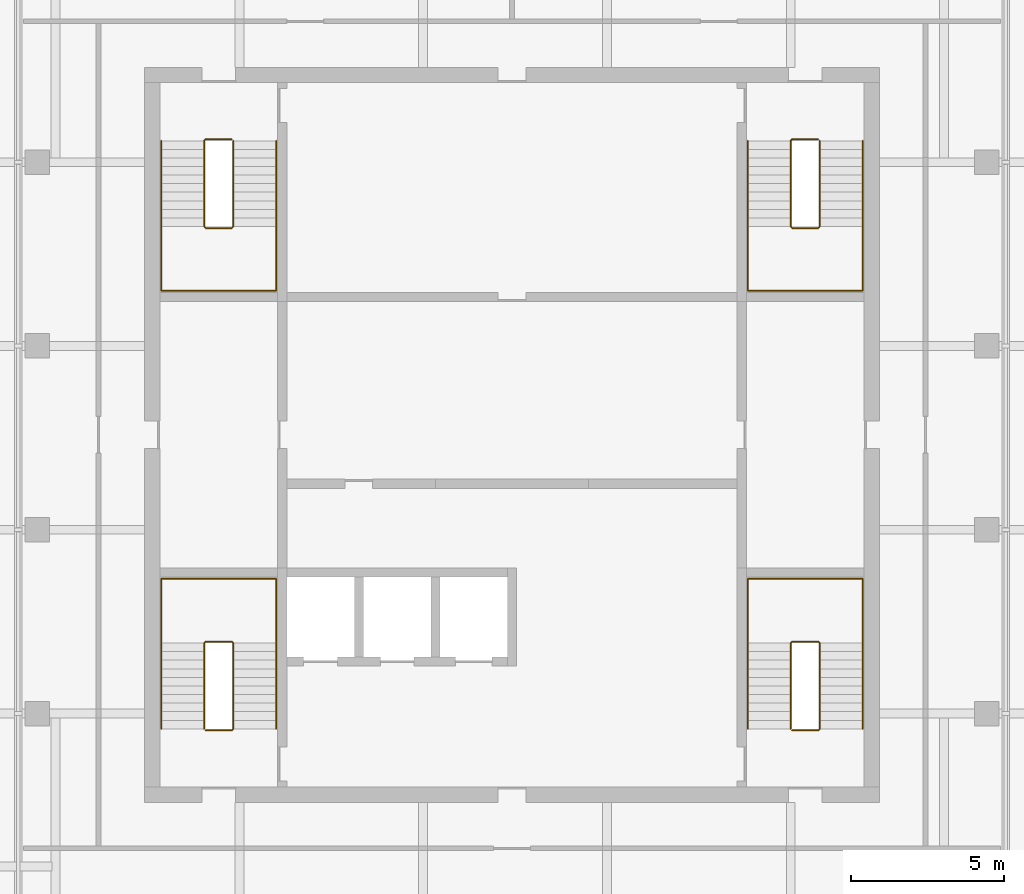
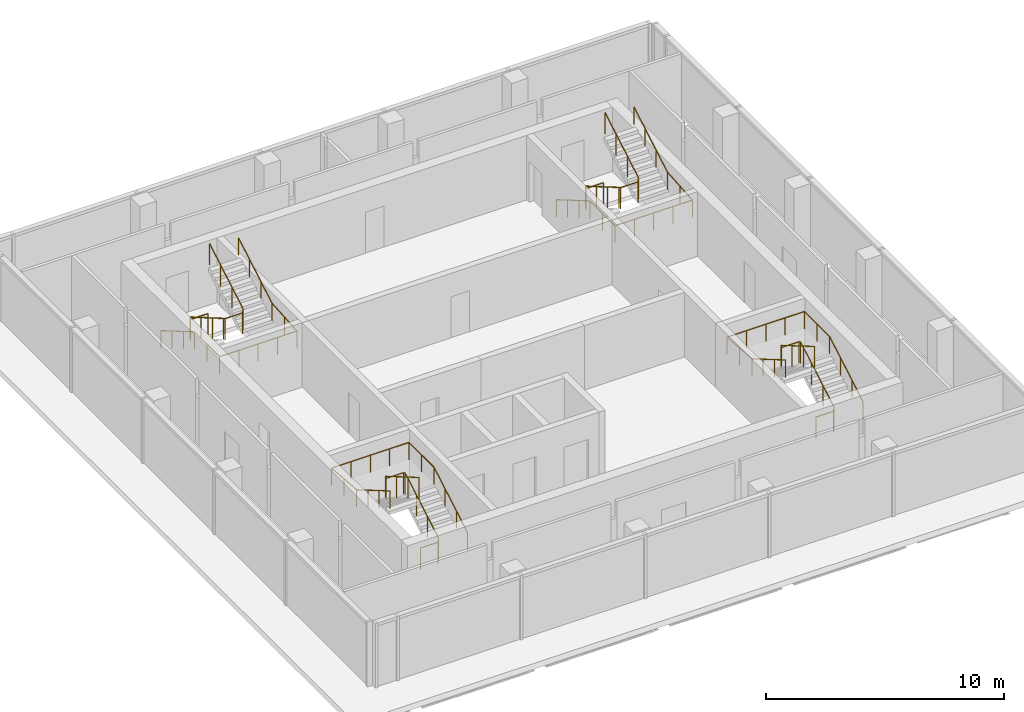
# One storey, part 5 of 5: 8 railings.
"""IFC4 building model written with IfcOpenShell, lengths in metres."""

from ifc_helpers import new_model, si_unit, direction, frame, origin, origin_2d, place, context, subcontext, project, spatial, circle, extrude, material, type_object, element, save


model = new_model("IFC4")

# Units and contexts
model_context = context("Model", 3, precision=1e-05, world=origin(), true_north=direction((0.0, 1.0)))
body_context = subcontext(model_context, "Body", "Model", "MODEL_VIEW")
ifc_project = project(units=[si_unit("LENGTHUNIT", "METRE"), si_unit("AREAUNIT", "SQUARE_METRE"), si_unit("VOLUMEUNIT", "CUBIC_METRE"), si_unit("PLANEANGLEUNIT", "RADIAN"), si_unit("MASSUNIT", "GRAM", prefix="KILO")], contexts=[model_context])

# Site, building, storey
site_placement = place(None, origin())
site = spatial("IfcSite", under=ifc_project, at=site_placement, CompositionType="ELEMENT")
building_placement = place(site_placement, origin())
building = spatial("IfcBuilding", under=site, at=building_placement, Name="Amberfall Residences", CompositionType="ELEMENT")
storey_placement = place(building_placement, frame((0.0, 0.0, 294.39990234375)))
storey = spatial("IfcBuildingStorey", under=building, at=storey_placement, Name="L79 Crown", CompositionType="ELEMENT", Elevation=294.39990234375)

# Railings
ifc_material = material(Name="Stainless steel 316", Category="steel")
railing_type_1 = type_object("IfcRailingType", Name="Stair guard 1100", PredefinedType="GUARDRAIL", material=ifc_material)
railing_1_placement = place(storey_placement, frame((64.5, 35.85009765625, 0.0)))
element("IfcRailing", 1, at=railing_1_placement, inside=storey, type_object=railing_type_1, Name="L79 Crown stair 1 guard", PredefinedType="GUARDRAIL", context=body_context, shape_type="SweptSolid", body=[
    extrude(circle(Radius=0.02392578125, at=origin_2d()), frame((0.0, 0.0, 1.076171875), z_axis=(1.0, 0.0, 0.0), x_axis=(0.0, 1.0, 0.0)), (0.0, 0.0, 1.0), 0.85009765625),
    extrude(circle(Radius=0.02392578125, at=origin_2d()), frame((0.85009765625, 0.0, 1.076171875), z_axis=(0.279301935624, 0.279301935624, 0.918684307863), x_axis=(-0.707106781187, 0.707106781187, 0.0)), (0.0, 0.0, 1.0), 0.17822265625),
    extrude(circle(Radius=0.02392578125, at=origin_2d()), frame((0.89990234375, 0.0498046875, 1.23974609375), z_axis=(0.0, 0.863393664356, 0.504530851732), x_axis=(-1.0, 0.0, 0.0)), (0.0, 0.0, 1.0), 3.2431640625),
    extrude(circle(Radius=0.02392578125, at=origin_2d()), frame((0.89990234375, 2.849853515625, 2.8759765625), z_axis=(-0.705375805398, 0.708833529934, 0.0), x_axis=(-0.708833529934, -0.705375805398, 0.0)), (0.0, 0.0, 1.0), 0.070556640625),
    extrude(circle(Radius=0.02392578125, at=origin_2d()), frame((0.85009765625, 2.89990234375, 2.8759765625), z_axis=(-1.0, 0.0, 0.0), x_axis=(0.0, -1.0, 0.0)), (0.0, 0.0, 1.0), 0.85009765625),
    extrude(circle(Radius=0.02392578125, at=origin_2d()), frame((0.0, 2.89990234375, 2.8759765625), z_axis=(-0.280808744504, -0.280808744504, 0.917765164963), x_axis=(0.707106781187, -0.707106781187, 0.0)), (0.0, 0.0, 1.0), 0.17822265625),
    extrude(circle(Radius=0.02392578125, at=origin_2d()), frame((-0.050048828125, 2.849853515625, 3.03955078125), z_axis=(0.0, -0.863360870873, 0.504586966384), x_axis=(1.0, 0.0, 0.0)), (0.0, 0.0, 1.0), 3.2431640625),
    extrude(circle(Radius=0.02099609375, at=origin_2d()), origin(), (0.0, 0.0, 1.0), 1.052001953125),
    extrude(circle(Radius=0.02099609375, at=origin_2d()), frame((0.85009765625, 0.0, 0.0)), (0.0, 0.0, 1.0), 1.052001953125),
    extrude(circle(Radius=0.02099609375, at=origin_2d()), frame((0.89990234375, 0.0498046875, 0.163818359375)), (0.0, 0.0, 1.0), 1.052001953125),
    extrude(circle(Radius=0.02099609375, at=origin_2d()), frame((0.89990234375, 0.983154296875, 0.709228515625)), (0.0, 0.0, 1.0), 1.052001953125),
    extrude(circle(Radius=0.02099609375, at=origin_2d()), frame((0.89990234375, 1.91650390625, 1.254638671875)), (0.0, 0.0, 1.0), 1.052001953125),
    extrude(circle(Radius=0.02099609375, at=origin_2d()), frame((0.89990234375, 2.849853515625, 1.800048828125)), (0.0, 0.0, 1.0), 1.052001953125),
    extrude(circle(Radius=0.02099609375, at=origin_2d()), frame((0.85009765625, 2.89990234375, 1.800048828125)), (0.0, 0.0, 1.0), 1.052001953125),
    extrude(circle(Radius=0.02099609375, at=origin_2d()), frame((0.0, 2.89990234375, 1.800048828125)), (0.0, 0.0, 1.0), 1.052001953125),
    extrude(circle(Radius=0.02099609375, at=origin_2d()), frame((-0.050048828125, 2.849853515625, 1.963623046875)), (0.0, 0.0, 1.0), 1.052001953125),
    extrude(circle(Radius=0.02099609375, at=origin_2d()), frame((-0.050048828125, 1.91650390625, 2.509033203125)), (0.0, 0.0, 1.0), 1.052001953125),
    extrude(circle(Radius=0.02099609375, at=origin_2d()), frame((-0.050048828125, 0.983154296875, 3.0546875)), (0.0, 0.0, 1.0), 1.052001953125),
    extrude(circle(Radius=0.02099609375, at=origin_2d()), frame((-0.050048828125, 0.0498046875, 3.60009765625)), (0.0, 0.0, 1.0), 1.052001953125),
])
railing_2_placement = place(storey_placement, frame((83.64990234375, 35.85009765625, 0.0)))
element("IfcRailing", 2, at=railing_2_placement, inside=storey, type_object=railing_type_1, Name="L79 Crown stair 2 guard", PredefinedType="GUARDRAIL", context=body_context, shape_type="SweptSolid", body=[
    extrude(circle(Radius=0.02392578125, at=origin_2d()), frame((0.0, 0.0, 1.076171875), z_axis=(1.0, 0.0, 0.0), x_axis=(0.0, 1.0, 0.0)), (0.0, 0.0, 1.0), 0.85009765625),
    extrude(circle(Radius=0.02392578125, at=origin_2d()), frame((0.85009765625, 0.0, 1.076171875), z_axis=(0.280563532951, 0.279194930351, 0.91833234444), x_axis=(-0.705375805398, 0.708833529934, 0.0)), (0.0, 0.0, 1.0), 0.178466796875),
    extrude(circle(Radius=0.02392578125, at=origin_2d()), frame((0.900146484375, 0.0498046875, 1.23974609375), z_axis=(0.0, 0.863393664356, 0.504530851732), x_axis=(-1.0, 0.0, 0.0)), (0.0, 0.0, 1.0), 3.2431640625),
    extrude(circle(Radius=0.02392578125, at=origin_2d()), frame((0.900146484375, 2.849853515625, 2.8759765625), z_axis=(-0.707106781187, 0.707106781187, 0.0), x_axis=(-0.707106781187, -0.707106781187, 0.0)), (0.0, 0.0, 1.0), 0.07080078125),
    extrude(circle(Radius=0.02392578125, at=origin_2d()), frame((0.85009765625, 2.89990234375, 2.8759765625), z_axis=(-1.0, 0.0, 0.0), x_axis=(0.0, -1.0, 0.0)), (0.0, 0.0, 1.0), 0.85009765625),
    extrude(circle(Radius=0.02392578125, at=origin_2d()), frame((0.0, 2.89990234375, 2.8759765625), z_axis=(-0.279546231943, -0.280916556609, 0.91811752648), x_axis=(0.708833529934, -0.705375805398, 0.0)), (0.0, 0.0, 1.0), 0.17822265625),
    extrude(circle(Radius=0.02392578125, at=origin_2d()), frame((-0.0498046875, 2.849853515625, 3.03955078125), z_axis=(0.0, -0.863360870873, 0.504586966384), x_axis=(1.0, 0.0, 0.0)), (0.0, 0.0, 1.0), 3.2431640625),
    extrude(circle(Radius=0.02099609375, at=origin_2d()), origin(), (0.0, 0.0, 1.0), 1.052001953125),
    extrude(circle(Radius=0.02099609375, at=origin_2d()), frame((0.85009765625, 0.0, 0.0)), (0.0, 0.0, 1.0), 1.052001953125),
    extrude(circle(Radius=0.02099609375, at=origin_2d()), frame((0.900146484375, 0.0498046875, 0.163818359375)), (0.0, 0.0, 1.0), 1.052001953125),
    extrude(circle(Radius=0.02099609375, at=origin_2d()), frame((0.900146484375, 0.983154296875, 0.709228515625)), (0.0, 0.0, 1.0), 1.052001953125),
    extrude(circle(Radius=0.02099609375, at=origin_2d()), frame((0.900146484375, 1.91650390625, 1.254638671875)), (0.0, 0.0, 1.0), 1.052001953125),
    extrude(circle(Radius=0.02099609375, at=origin_2d()), frame((0.900146484375, 2.849853515625, 1.800048828125)), (0.0, 0.0, 1.0), 1.052001953125),
    extrude(circle(Radius=0.02099609375, at=origin_2d()), frame((0.85009765625, 2.89990234375, 1.800048828125)), (0.0, 0.0, 1.0), 1.052001953125),
    extrude(circle(Radius=0.02099609375, at=origin_2d()), frame((0.0, 2.89990234375, 1.800048828125)), (0.0, 0.0, 1.0), 1.052001953125),
    extrude(circle(Radius=0.02099609375, at=origin_2d()), frame((-0.0498046875, 2.849853515625, 1.963623046875)), (0.0, 0.0, 1.0), 1.052001953125),
    extrude(circle(Radius=0.02099609375, at=origin_2d()), frame((-0.0498046875, 1.91650390625, 2.509033203125)), (0.0, 0.0, 1.0), 1.052001953125),
    extrude(circle(Radius=0.02099609375, at=origin_2d()), frame((-0.0498046875, 0.983154296875, 3.0546875)), (0.0, 0.0, 1.0), 1.052001953125),
    extrude(circle(Radius=0.02099609375, at=origin_2d()), frame((-0.0498046875, 0.0498046875, 3.60009765625)), (0.0, 0.0, 1.0), 1.052001953125),
])
railing_3_placement = place(storey_placement, frame((84.5, 55.14990234375, 0.0)))
element("IfcRailing", 3, at=railing_3_placement, inside=storey, type_object=railing_type_1, Name="L79 Crown stair 3 guard", PredefinedType="GUARDRAIL", context=body_context, shape_type="SweptSolid", body=[
    extrude(circle(Radius=0.02392578125, at=origin_2d()), frame((0.0, 0.0, 1.076171875), z_axis=(-1.0, 0.0, 0.0), x_axis=(0.0, -1.0, 0.0)), (0.0, 0.0, 1.0), 0.85009765625),
    extrude(circle(Radius=0.02392578125, at=origin_2d()), frame((-0.85009765625, 0.0, 1.076171875), z_axis=(-0.279301935624, -0.279301935624, 0.918684307863), x_axis=(0.707106781187, -0.707106781187, 0.0)), (0.0, 0.0, 1.0), 0.17822265625),
    extrude(circle(Radius=0.02392578125, at=origin_2d()), frame((-0.89990234375, -0.0498046875, 1.23974609375), z_axis=(0.0, -0.863393664356, 0.504530851732), x_axis=(1.0, 0.0, 0.0)), (0.0, 0.0, 1.0), 3.2431640625),
    extrude(circle(Radius=0.02392578125, at=origin_2d()), frame((-0.89990234375, -2.849853515625, 2.8759765625), z_axis=(0.705375805398, -0.708833529934, 0.0), x_axis=(0.708833529934, 0.705375805398, 0.0)), (0.0, 0.0, 1.0), 0.070556640625),
    extrude(circle(Radius=0.02392578125, at=origin_2d()), frame((-0.85009765625, -2.89990234375, 2.8759765625), z_axis=(1.0, 0.0, 0.0), x_axis=(0.0, 1.0, 0.0)), (0.0, 0.0, 1.0), 0.85009765625),
    extrude(circle(Radius=0.02392578125, at=origin_2d()), frame((0.0, -2.89990234375, 2.8759765625), z_axis=(0.280808744504, 0.280808744504, 0.917765164963), x_axis=(-0.707106781187, 0.707106781187, 0.0)), (0.0, 0.0, 1.0), 0.17822265625),
    extrude(circle(Radius=0.02392578125, at=origin_2d()), frame((0.050048828125, -2.849853515625, 3.03955078125), z_axis=(0.0, 0.863360870873, 0.504586966384), x_axis=(-1.0, 0.0, 0.0)), (0.0, 0.0, 1.0), 3.2431640625),
    extrude(circle(Radius=0.02099609375, at=origin_2d()), origin(), (0.0, 0.0, 1.0), 1.052001953125),
    extrude(circle(Radius=0.02099609375, at=origin_2d()), frame((-0.85009765625, 0.0, 0.0)), (0.0, 0.0, 1.0), 1.052001953125),
    extrude(circle(Radius=0.02099609375, at=origin_2d()), frame((-0.89990234375, -0.0498046875, 0.163818359375)), (0.0, 0.0, 1.0), 1.052001953125),
    extrude(circle(Radius=0.02099609375, at=origin_2d()), frame((-0.89990234375, -0.983154296875, 0.709228515625)), (0.0, 0.0, 1.0), 1.052001953125),
    extrude(circle(Radius=0.02099609375, at=origin_2d()), frame((-0.89990234375, -1.91650390625, 1.254638671875)), (0.0, 0.0, 1.0), 1.052001953125),
    extrude(circle(Radius=0.02099609375, at=origin_2d()), frame((-0.89990234375, -2.849853515625, 1.800048828125)), (0.0, 0.0, 1.0), 1.052001953125),
    extrude(circle(Radius=0.02099609375, at=origin_2d()), frame((-0.85009765625, -2.89990234375, 1.800048828125)), (0.0, 0.0, 1.0), 1.052001953125),
    extrude(circle(Radius=0.02099609375, at=origin_2d()), frame((0.0, -2.89990234375, 1.800048828125)), (0.0, 0.0, 1.0), 1.052001953125),
    extrude(circle(Radius=0.02099609375, at=origin_2d()), frame((0.050048828125, -2.849853515625, 1.963623046875)), (0.0, 0.0, 1.0), 1.052001953125),
    extrude(circle(Radius=0.02099609375, at=origin_2d()), frame((0.050048828125, -1.91650390625, 2.509033203125)), (0.0, 0.0, 1.0), 1.052001953125),
    extrude(circle(Radius=0.02099609375, at=origin_2d()), frame((0.050048828125, -0.983154296875, 3.0546875)), (0.0, 0.0, 1.0), 1.052001953125),
    extrude(circle(Radius=0.02099609375, at=origin_2d()), frame((0.050048828125, -0.0498046875, 3.60009765625)), (0.0, 0.0, 1.0), 1.052001953125),
])
railing_4_placement = place(storey_placement, frame((65.35009765625, 55.14990234375, 0.0)))
element("IfcRailing", 4, at=railing_4_placement, inside=storey, type_object=railing_type_1, Name="L79 Crown stair 4 guard", PredefinedType="GUARDRAIL", context=body_context, shape_type="SweptSolid", body=[
    extrude(circle(Radius=0.02392578125, at=origin_2d()), frame((0.0, 0.0, 1.076171875), z_axis=(-1.0, 0.0, 0.0), x_axis=(0.0, -1.0, 0.0)), (0.0, 0.0, 1.0), 0.85009765625),
    extrude(circle(Radius=0.02392578125, at=origin_2d()), frame((-0.85009765625, 0.0, 1.076171875), z_axis=(-0.280563532951, -0.279194930351, 0.91833234444), x_axis=(0.705375805398, -0.708833529934, 0.0)), (0.0, 0.0, 1.0), 0.178466796875),
    extrude(circle(Radius=0.02392578125, at=origin_2d()), frame((-0.900146484375, -0.0498046875, 1.23974609375), z_axis=(0.0, -0.863393664356, 0.504530851732), x_axis=(1.0, 0.0, 0.0)), (0.0, 0.0, 1.0), 3.2431640625),
    extrude(circle(Radius=0.02392578125, at=origin_2d()), frame((-0.900146484375, -2.849853515625, 2.8759765625), z_axis=(0.707106781187, -0.707106781187, 0.0), x_axis=(0.707106781187, 0.707106781187, 0.0)), (0.0, 0.0, 1.0), 0.07080078125),
    extrude(circle(Radius=0.02392578125, at=origin_2d()), frame((-0.85009765625, -2.89990234375, 2.8759765625), z_axis=(1.0, 0.0, 0.0), x_axis=(0.0, 1.0, 0.0)), (0.0, 0.0, 1.0), 0.85009765625),
    extrude(circle(Radius=0.02392578125, at=origin_2d()), frame((0.0, -2.89990234375, 2.8759765625), z_axis=(0.279546231943, 0.280916556609, 0.91811752648), x_axis=(-0.708833529934, 0.705375805398, 0.0)), (0.0, 0.0, 1.0), 0.17822265625),
    extrude(circle(Radius=0.02392578125, at=origin_2d()), frame((0.0498046875, -2.849853515625, 3.03955078125), z_axis=(0.0, 0.863360870873, 0.504586966384), x_axis=(-1.0, 0.0, 0.0)), (0.0, 0.0, 1.0), 3.2431640625),
    extrude(circle(Radius=0.02099609375, at=origin_2d()), origin(), (0.0, 0.0, 1.0), 1.052001953125),
    extrude(circle(Radius=0.02099609375, at=origin_2d()), frame((-0.85009765625, 0.0, 0.0)), (0.0, 0.0, 1.0), 1.052001953125),
    extrude(circle(Radius=0.02099609375, at=origin_2d()), frame((-0.900146484375, -0.0498046875, 0.163818359375)), (0.0, 0.0, 1.0), 1.052001953125),
    extrude(circle(Radius=0.02099609375, at=origin_2d()), frame((-0.900146484375, -0.983154296875, 0.709228515625)), (0.0, 0.0, 1.0), 1.052001953125),
    extrude(circle(Radius=0.02099609375, at=origin_2d()), frame((-0.900146484375, -1.91650390625, 1.254638671875)), (0.0, 0.0, 1.0), 1.052001953125),
    extrude(circle(Radius=0.02099609375, at=origin_2d()), frame((-0.900146484375, -2.849853515625, 1.800048828125)), (0.0, 0.0, 1.0), 1.052001953125),
    extrude(circle(Radius=0.02099609375, at=origin_2d()), frame((-0.85009765625, -2.89990234375, 1.800048828125)), (0.0, 0.0, 1.0), 1.052001953125),
    extrude(circle(Radius=0.02099609375, at=origin_2d()), frame((0.0, -2.89990234375, 1.800048828125)), (0.0, 0.0, 1.0), 1.052001953125),
    extrude(circle(Radius=0.02099609375, at=origin_2d()), frame((0.0498046875, -2.849853515625, 1.963623046875)), (0.0, 0.0, 1.0), 1.052001953125),
    extrude(circle(Radius=0.02099609375, at=origin_2d()), frame((0.0498046875, -1.91650390625, 2.509033203125)), (0.0, 0.0, 1.0), 1.052001953125),
    extrude(circle(Radius=0.02099609375, at=origin_2d()), frame((0.0498046875, -0.983154296875, 3.0546875)), (0.0, 0.0, 1.0), 1.052001953125),
    extrude(circle(Radius=0.02099609375, at=origin_2d()), frame((0.0498046875, -0.0498046875, 3.60009765625)), (0.0, 0.0, 1.0), 1.052001953125),
])
railing_type_2 = type_object("IfcRailingType", Name="Stair handrail 900", PredefinedType="HANDRAIL", material=ifc_material)
railing_5_placement = place(storey_placement, frame((66.800048828125, 35.89990234375, 0.163818359375)))
element("IfcRailing", 5, at=railing_5_placement, inside=storey, type_object=railing_type_2, Name="L79 Crown stair 1 handrail", PredefinedType="HANDRAIL", context=body_context, shape_type="SweptSolid", body=[
    extrude(circle(Radius=0.02392578125, at=origin_2d()), frame((0.0, 0.0, 0.8759765625), z_axis=(0.0, 0.863393664356, 0.504530851732), x_axis=(-1.0, 0.0, 0.0)), (0.0, 0.0, 1.0), 3.2431640625),
    extrude(circle(Radius=0.02392578125, at=origin_2d()), frame((0.0, 2.800048828125, 2.51220703125), z_axis=(0.0, 1.0, 0.0), x_axis=(-1.0, 0.0, 0.0)), (0.0, 0.0, 1.0), 2.10009765625),
    extrude(circle(Radius=0.02392578125, at=origin_2d()), frame((0.0, 4.900146484375, 2.51220703125), z_axis=(-1.0, 0.0, 0.0), x_axis=(0.0, -1.0, 0.0)), (0.0, 0.0, 1.0), 3.75),
    extrude(circle(Radius=0.02392578125, at=origin_2d()), frame((-3.75, 4.900146484375, 2.51220703125), z_axis=(0.0, -0.996980394804, 0.077653669439), x_axis=(1.0, 0.0, 0.0)), (0.0, 0.0, 1.0), 2.1064453125),
    extrude(circle(Radius=0.02392578125, at=origin_2d()), frame((-3.75, 2.800048828125, 2.67578125), z_axis=(0.0, -0.863360870873, 0.504586966384), x_axis=(1.0, 0.0, 0.0)), (0.0, 0.0, 1.0), 3.2431640625),
    extrude(circle(Radius=0.02099609375, at=origin_2d()), origin(), (0.0, 0.0, 1.0), 0.851806640625),
    extrude(circle(Radius=0.02099609375, at=origin_2d()), frame((0.0, 0.933349609375, 0.54541015625)), (0.0, 0.0, 1.0), 0.851806640625),
    extrude(circle(Radius=0.02099609375, at=origin_2d()), frame((0.0, 1.86669921875, 1.0908203125)), (0.0, 0.0, 1.0), 0.851806640625),
    extrude(circle(Radius=0.02099609375, at=origin_2d()), frame((0.0, 2.800048828125, 1.63623046875)), (0.0, 0.0, 1.0), 0.851806640625),
    extrude(circle(Radius=0.02099609375, at=origin_2d()), frame((0.0, 3.85009765625, 1.63623046875)), (0.0, 0.0, 1.0), 0.851806640625),
    extrude(circle(Radius=0.02099609375, at=origin_2d()), frame((0.0, 4.900146484375, 1.63623046875)), (0.0, 0.0, 1.0), 0.851806640625),
    extrude(circle(Radius=0.02099609375, at=origin_2d()), frame((-0.9375, 4.900146484375, 1.63623046875)), (0.0, 0.0, 1.0), 0.851806640625),
    extrude(circle(Radius=0.02099609375, at=origin_2d()), frame((-1.875, 4.900146484375, 1.63623046875)), (0.0, 0.0, 1.0), 0.851806640625),
    extrude(circle(Radius=0.02099609375, at=origin_2d()), frame((-2.8125, 4.900146484375, 1.63623046875)), (0.0, 0.0, 1.0), 0.851806640625),
    extrude(circle(Radius=0.02099609375, at=origin_2d()), frame((-3.75, 4.900146484375, 1.63623046875)), (0.0, 0.0, 1.0), 0.851806640625),
    extrude(circle(Radius=0.02099609375, at=origin_2d()), frame((-3.75, 3.85009765625, 1.718017578125)), (0.0, 0.0, 1.0), 0.851806640625),
    extrude(circle(Radius=0.02099609375, at=origin_2d()), frame((-3.75, 2.800048828125, 1.7998046875)), (0.0, 0.0, 1.0), 0.851806640625),
    extrude(circle(Radius=0.02099609375, at=origin_2d()), frame((-3.75, 1.86669921875, 2.34521484375)), (0.0, 0.0, 1.0), 0.851806640625),
    extrude(circle(Radius=0.02099609375, at=origin_2d()), frame((-3.75, 0.933349609375, 2.890869140625)), (0.0, 0.0, 1.0), 0.851806640625),
    extrude(circle(Radius=0.02099609375, at=origin_2d()), frame((-3.75, 0.0, 3.436279296875)), (0.0, 0.0, 1.0), 0.851806640625),
])
railing_6_placement = place(storey_placement, frame((85.949951171875, 35.89990234375, 0.163818359375)))
element("IfcRailing", 6, at=railing_6_placement, inside=storey, type_object=railing_type_2, Name="L79 Crown stair 2 handrail", PredefinedType="HANDRAIL", context=body_context, shape_type="SweptSolid", body=[
    extrude(circle(Radius=0.02392578125, at=origin_2d()), frame((0.0, 0.0, 0.8759765625), z_axis=(0.0, 0.863393664356, 0.504530851732), x_axis=(-1.0, 0.0, 0.0)), (0.0, 0.0, 1.0), 3.2431640625),
    extrude(circle(Radius=0.02392578125, at=origin_2d()), frame((0.0, 2.800048828125, 2.51220703125), z_axis=(0.0, 1.0, 0.0), x_axis=(-1.0, 0.0, 0.0)), (0.0, 0.0, 1.0), 2.10009765625),
    extrude(circle(Radius=0.02392578125, at=origin_2d()), frame((0.0, 4.900146484375, 2.51220703125), z_axis=(-1.0, 0.0, 0.0), x_axis=(0.0, -1.0, 0.0)), (0.0, 0.0, 1.0), 3.75),
    extrude(circle(Radius=0.02392578125, at=origin_2d()), frame((-3.75, 4.900146484375, 2.51220703125), z_axis=(0.0, -0.996980394804, 0.077653669439), x_axis=(1.0, 0.0, 0.0)), (0.0, 0.0, 1.0), 2.1064453125),
    extrude(circle(Radius=0.02392578125, at=origin_2d()), frame((-3.75, 2.800048828125, 2.67578125), z_axis=(0.0, -0.863360870873, 0.504586966384), x_axis=(1.0, 0.0, 0.0)), (0.0, 0.0, 1.0), 3.2431640625),
    extrude(circle(Radius=0.02099609375, at=origin_2d()), origin(), (0.0, 0.0, 1.0), 0.851806640625),
    extrude(circle(Radius=0.02099609375, at=origin_2d()), frame((0.0, 0.933349609375, 0.54541015625)), (0.0, 0.0, 1.0), 0.851806640625),
    extrude(circle(Radius=0.02099609375, at=origin_2d()), frame((0.0, 1.86669921875, 1.0908203125)), (0.0, 0.0, 1.0), 0.851806640625),
    extrude(circle(Radius=0.02099609375, at=origin_2d()), frame((0.0, 2.800048828125, 1.63623046875)), (0.0, 0.0, 1.0), 0.851806640625),
    extrude(circle(Radius=0.02099609375, at=origin_2d()), frame((0.0, 3.85009765625, 1.63623046875)), (0.0, 0.0, 1.0), 0.851806640625),
    extrude(circle(Radius=0.02099609375, at=origin_2d()), frame((0.0, 4.900146484375, 1.63623046875)), (0.0, 0.0, 1.0), 0.851806640625),
    extrude(circle(Radius=0.02099609375, at=origin_2d()), frame((-0.9375, 4.900146484375, 1.63623046875)), (0.0, 0.0, 1.0), 0.851806640625),
    extrude(circle(Radius=0.02099609375, at=origin_2d()), frame((-1.875, 4.900146484375, 1.63623046875)), (0.0, 0.0, 1.0), 0.851806640625),
    extrude(circle(Radius=0.02099609375, at=origin_2d()), frame((-2.8125, 4.900146484375, 1.63623046875)), (0.0, 0.0, 1.0), 0.851806640625),
    extrude(circle(Radius=0.02099609375, at=origin_2d()), frame((-3.75, 4.900146484375, 1.63623046875)), (0.0, 0.0, 1.0), 0.851806640625),
    extrude(circle(Radius=0.02099609375, at=origin_2d()), frame((-3.75, 3.85009765625, 1.718017578125)), (0.0, 0.0, 1.0), 0.851806640625),
    extrude(circle(Radius=0.02099609375, at=origin_2d()), frame((-3.75, 2.800048828125, 1.7998046875)), (0.0, 0.0, 1.0), 0.851806640625),
    extrude(circle(Radius=0.02099609375, at=origin_2d()), frame((-3.75, 1.86669921875, 2.34521484375)), (0.0, 0.0, 1.0), 0.851806640625),
    extrude(circle(Radius=0.02099609375, at=origin_2d()), frame((-3.75, 0.933349609375, 2.890869140625)), (0.0, 0.0, 1.0), 0.851806640625),
    extrude(circle(Radius=0.02099609375, at=origin_2d()), frame((-3.75, 0.0, 3.436279296875)), (0.0, 0.0, 1.0), 0.851806640625),
])
railing_7_placement = place(storey_placement, frame((82.199951171875, 55.10009765625, 0.163818359375)))
element("IfcRailing", 7, at=railing_7_placement, inside=storey, type_object=railing_type_2, Name="L79 Crown stair 3 handrail", PredefinedType="HANDRAIL", context=body_context, shape_type="SweptSolid", body=[
    extrude(circle(Radius=0.02392578125, at=origin_2d()), frame((0.0, 0.0, 0.8759765625), z_axis=(0.0, -0.863393664356, 0.504530851732), x_axis=(1.0, 0.0, 0.0)), (0.0, 0.0, 1.0), 3.2431640625),
    extrude(circle(Radius=0.02392578125, at=origin_2d()), frame((0.0, -2.800048828125, 2.51220703125), z_axis=(0.0, -1.0, 0.0), x_axis=(1.0, 0.0, 0.0)), (0.0, 0.0, 1.0), 2.10009765625),
    extrude(circle(Radius=0.02392578125, at=origin_2d()), frame((0.0, -4.900146484375, 2.51220703125), z_axis=(1.0, 0.0, 0.0), x_axis=(0.0, 1.0, 0.0)), (0.0, 0.0, 1.0), 3.75),
    extrude(circle(Radius=0.02392578125, at=origin_2d()), frame((3.75, -4.900146484375, 2.51220703125), z_axis=(0.0, 0.996980394804, 0.077653669439), x_axis=(-1.0, 0.0, 0.0)), (0.0, 0.0, 1.0), 2.1064453125),
    extrude(circle(Radius=0.02392578125, at=origin_2d()), frame((3.75, -2.800048828125, 2.67578125), z_axis=(0.0, 0.863360870873, 0.504586966384), x_axis=(-1.0, 0.0, 0.0)), (0.0, 0.0, 1.0), 3.2431640625),
    extrude(circle(Radius=0.02099609375, at=origin_2d()), origin(), (0.0, 0.0, 1.0), 0.851806640625),
    extrude(circle(Radius=0.02099609375, at=origin_2d()), frame((0.0, -0.933349609375, 0.54541015625)), (0.0, 0.0, 1.0), 0.851806640625),
    extrude(circle(Radius=0.02099609375, at=origin_2d()), frame((0.0, -1.86669921875, 1.0908203125)), (0.0, 0.0, 1.0), 0.851806640625),
    extrude(circle(Radius=0.02099609375, at=origin_2d()), frame((0.0, -2.800048828125, 1.63623046875)), (0.0, 0.0, 1.0), 0.851806640625),
    extrude(circle(Radius=0.02099609375, at=origin_2d()), frame((0.0, -3.85009765625, 1.63623046875)), (0.0, 0.0, 1.0), 0.851806640625),
    extrude(circle(Radius=0.02099609375, at=origin_2d()), frame((0.0, -4.900146484375, 1.63623046875)), (0.0, 0.0, 1.0), 0.851806640625),
    extrude(circle(Radius=0.02099609375, at=origin_2d()), frame((0.9375, -4.900146484375, 1.63623046875)), (0.0, 0.0, 1.0), 0.851806640625),
    extrude(circle(Radius=0.02099609375, at=origin_2d()), frame((1.875, -4.900146484375, 1.63623046875)), (0.0, 0.0, 1.0), 0.851806640625),
    extrude(circle(Radius=0.02099609375, at=origin_2d()), frame((2.8125, -4.900146484375, 1.63623046875)), (0.0, 0.0, 1.0), 0.851806640625),
    extrude(circle(Radius=0.02099609375, at=origin_2d()), frame((3.75, -4.900146484375, 1.63623046875)), (0.0, 0.0, 1.0), 0.851806640625),
    extrude(circle(Radius=0.02099609375, at=origin_2d()), frame((3.75, -3.85009765625, 1.718017578125)), (0.0, 0.0, 1.0), 0.851806640625),
    extrude(circle(Radius=0.02099609375, at=origin_2d()), frame((3.75, -2.800048828125, 1.7998046875)), (0.0, 0.0, 1.0), 0.851806640625),
    extrude(circle(Radius=0.02099609375, at=origin_2d()), frame((3.75, -1.86669921875, 2.34521484375)), (0.0, 0.0, 1.0), 0.851806640625),
    extrude(circle(Radius=0.02099609375, at=origin_2d()), frame((3.75, -0.933349609375, 2.890869140625)), (0.0, 0.0, 1.0), 0.851806640625),
    extrude(circle(Radius=0.02099609375, at=origin_2d()), frame((3.75, 0.0, 3.436279296875)), (0.0, 0.0, 1.0), 0.851806640625),
])
railing_8_placement = place(storey_placement, frame((63.050048828125, 55.10009765625, 0.163818359375)))
element("IfcRailing", 8, at=railing_8_placement, inside=storey, type_object=railing_type_2, Name="L79 Crown stair 4 handrail", PredefinedType="HANDRAIL", context=body_context, shape_type="SweptSolid", body=[
    extrude(circle(Radius=0.02392578125, at=origin_2d()), frame((0.0, 0.0, 0.8759765625), z_axis=(0.0, -0.863393664356, 0.504530851732), x_axis=(1.0, 0.0, 0.0)), (0.0, 0.0, 1.0), 3.2431640625),
    extrude(circle(Radius=0.02392578125, at=origin_2d()), frame((0.0, -2.800048828125, 2.51220703125), z_axis=(0.0, -1.0, 0.0), x_axis=(1.0, 0.0, 0.0)), (0.0, 0.0, 1.0), 2.10009765625),
    extrude(circle(Radius=0.02392578125, at=origin_2d()), frame((0.0, -4.900146484375, 2.51220703125), z_axis=(1.0, 0.0, 0.0), x_axis=(0.0, 1.0, 0.0)), (0.0, 0.0, 1.0), 3.75),
    extrude(circle(Radius=0.02392578125, at=origin_2d()), frame((3.75, -4.900146484375, 2.51220703125), z_axis=(0.0, 0.996980394804, 0.077653669439), x_axis=(-1.0, 0.0, 0.0)), (0.0, 0.0, 1.0), 2.1064453125),
    extrude(circle(Radius=0.02392578125, at=origin_2d()), frame((3.75, -2.800048828125, 2.67578125), z_axis=(0.0, 0.863360870873, 0.504586966384), x_axis=(-1.0, 0.0, 0.0)), (0.0, 0.0, 1.0), 3.2431640625),
    extrude(circle(Radius=0.02099609375, at=origin_2d()), origin(), (0.0, 0.0, 1.0), 0.851806640625),
    extrude(circle(Radius=0.02099609375, at=origin_2d()), frame((0.0, -0.933349609375, 0.54541015625)), (0.0, 0.0, 1.0), 0.851806640625),
    extrude(circle(Radius=0.02099609375, at=origin_2d()), frame((0.0, -1.86669921875, 1.0908203125)), (0.0, 0.0, 1.0), 0.851806640625),
    extrude(circle(Radius=0.02099609375, at=origin_2d()), frame((0.0, -2.800048828125, 1.63623046875)), (0.0, 0.0, 1.0), 0.851806640625),
    extrude(circle(Radius=0.02099609375, at=origin_2d()), frame((0.0, -3.85009765625, 1.63623046875)), (0.0, 0.0, 1.0), 0.851806640625),
    extrude(circle(Radius=0.02099609375, at=origin_2d()), frame((0.0, -4.900146484375, 1.63623046875)), (0.0, 0.0, 1.0), 0.851806640625),
    extrude(circle(Radius=0.02099609375, at=origin_2d()), frame((0.9375, -4.900146484375, 1.63623046875)), (0.0, 0.0, 1.0), 0.851806640625),
    extrude(circle(Radius=0.02099609375, at=origin_2d()), frame((1.875, -4.900146484375, 1.63623046875)), (0.0, 0.0, 1.0), 0.851806640625),
    extrude(circle(Radius=0.02099609375, at=origin_2d()), frame((2.8125, -4.900146484375, 1.63623046875)), (0.0, 0.0, 1.0), 0.851806640625),
    extrude(circle(Radius=0.02099609375, at=origin_2d()), frame((3.75, -4.900146484375, 1.63623046875)), (0.0, 0.0, 1.0), 0.851806640625),
    extrude(circle(Radius=0.02099609375, at=origin_2d()), frame((3.75, -3.85009765625, 1.718017578125)), (0.0, 0.0, 1.0), 0.851806640625),
    extrude(circle(Radius=0.02099609375, at=origin_2d()), frame((3.75, -2.800048828125, 1.7998046875)), (0.0, 0.0, 1.0), 0.851806640625),
    extrude(circle(Radius=0.02099609375, at=origin_2d()), frame((3.75, -1.86669921875, 2.34521484375)), (0.0, 0.0, 1.0), 0.851806640625),
    extrude(circle(Radius=0.02099609375, at=origin_2d()), frame((3.75, -0.933349609375, 2.890869140625)), (0.0, 0.0, 1.0), 0.851806640625),
    extrude(circle(Radius=0.02099609375, at=origin_2d()), frame((3.75, 0.0, 3.436279296875)), (0.0, 0.0, 1.0), 0.851806640625),
])

save(model, "model.ifc")
